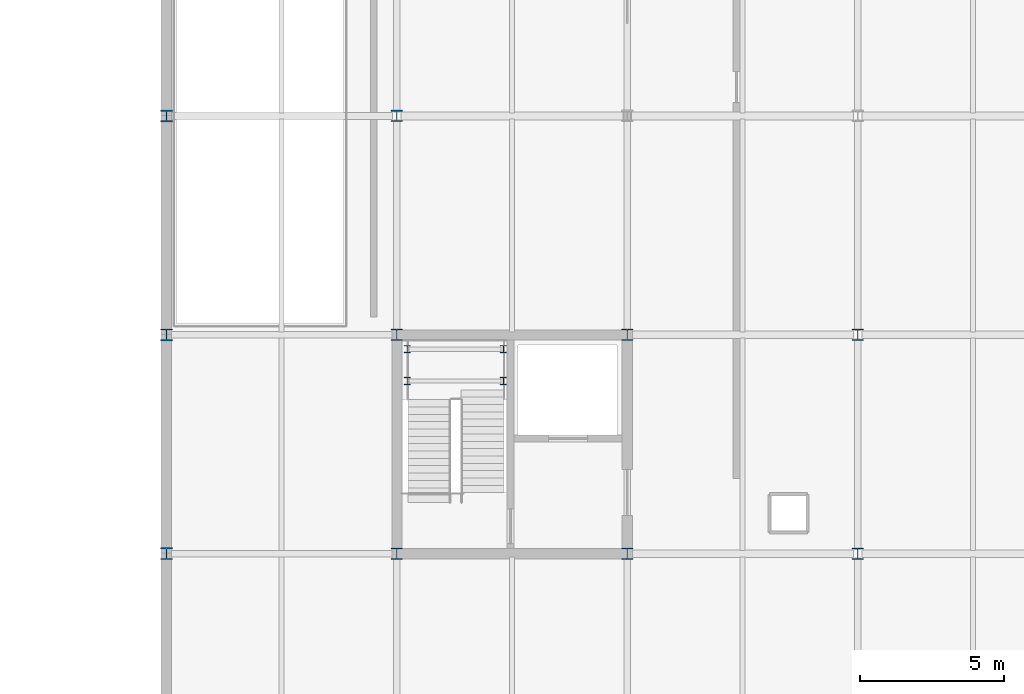
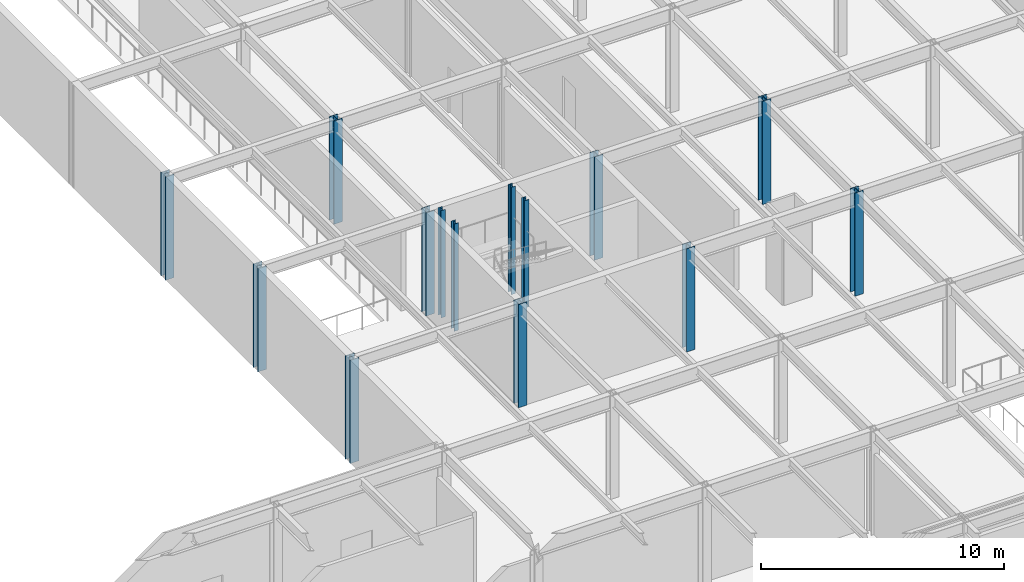
# One storey, part 22 of 62: 14 columns.
"""IFC4 building model written with IfcOpenShell, lengths in metres."""

from ifc_helpers import new_model, si_unit, direction, frame, origin, origin_2d, place, context, subcontext, project, spatial, i_section, extrude, material, material_profile, profile_set, type_object, element, save


model = new_model("IFC4")

# Units and contexts
model_context = context("Model", 3, precision=1e-05, world=origin(), true_north=direction((0.0, 1.0)))
body_context = subcontext(model_context, "Body", "Model", "MODEL_VIEW")
ifc_project = project(units=[si_unit("LENGTHUNIT", "METRE"), si_unit("AREAUNIT", "SQUARE_METRE"), si_unit("VOLUMEUNIT", "CUBIC_METRE"), si_unit("PLANEANGLEUNIT", "RADIAN"), si_unit("MASSUNIT", "GRAM", prefix="KILO")], contexts=[model_context])

# Site, building, storey
site_placement = place(None, origin())
site = spatial("IfcSite", under=ifc_project, at=site_placement, CompositionType="ELEMENT")
building_placement = place(site_placement, origin())
building = spatial("IfcBuilding", under=site, at=building_placement, Name="Zulena Civic Courthouse", CompositionType="ELEMENT")
storey_placement = place(building_placement, origin())
storey = spatial("IfcBuildingStorey", under=building, at=storey_placement, Name="L00", CompositionType="ELEMENT", Elevation=0.0)

# Columns
ifc_material = material(Name="Steel ASTM A992 Grade 50", Category="steel")
ifc_material_profile_1 = material_profile(ifc_material, i_section(OverallWidth=0.2041015625, OverallDepth=0.257080078125, WebThickness=0.0087890625, FlangeThickness=0.015625, FilletRadius=0.0126953125, at=origin_2d()), Name="W10X45")
ifc_profile_set_1 = profile_set([ifc_material_profile_1], Name="Steel ASTM A992 Grade 50")
column_type_1 = type_object("IfcColumnType", Name="Col_W10X45", PredefinedType="COLUMN", material=ifc_profile_set_1)
for number, where, z_axis, x_axis, name in (
    (1, (76.360107421875, 74.39990234375, 0.0), (0.0, 0.0, 1.0), (1.0, 0.0, 0.0), "col:lnd:K5B:L00:0:0"),
    (2, (79.699951171875, 74.39990234375, 0.0), (0.0, 0.0, 1.0), (1.0, 0.0, 0.0), "col:lnd:K5B:L00:0:1"),
    (3, (76.360107421875, 75.5, 0.0), (0.0, 0.0, 1.0), (1.0, 0.0, 0.0), "col:lnd:K5B:L00:1:0"),
    (4, (79.699951171875, 75.5, 0.0), (0.0, 0.0, 1.0), (1.0, 0.0, 0.0), "col:lnd:K5B:L00:1:1"),
):
    element("IfcColumn", number, at=place(storey_placement, frame(where, z_axis=z_axis, x_axis=x_axis)), inside=storey, type_object=column_type_1, Name=name, PredefinedType="COLUMN", context=body_context, shape_type="SweptSolid", body=[
        extrude(i_section(OverallWidth=0.2041015625, OverallDepth=0.257080078125, WebThickness=0.0087890625, FlangeThickness=0.015625, FilletRadius=0.0126953125, at=origin_2d()), origin(), (0.0, 0.0, 1.0), 5.39501953125),
    ])
ifc_material_profile_2 = material_profile(ifc_material, i_section(OverallWidth=0.40087890625, OverallDepth=0.39892578125, WebThickness=0.02490234375, FlangeThickness=0.03955078125, FilletRadius=0.01513671875, at=origin_2d()), Name="W14X211")
ifc_profile_set_2 = profile_set([ifc_material_profile_2], Name="Steel ASTM A992 Grade 50")
column_type_2 = type_object("IfcColumnType", Name="Col_W14X211", PredefinedType="COLUMN", material=ifc_profile_set_2)
for number, where, z_axis, x_axis, name in (
    (5, (76.0, 68.39990234375, 0.0), (0.0, 0.0, 1.0), (1.0, 0.0, 0.0), "col:V5:L00:76.0:68.4"),
    (6, (76.0, 76.0, 0.0), (0.0, 0.0, 1.0), (1.0, 0.0, 0.0), "col:V5:L00:76.0:76.0"),
    (7, (76.0, 83.60009765625, 0.0), (0.0, 0.0, 1.0), (1.0, 0.0, 0.0), "col:V5:L00:76.0:83.6"),
    (8, (84.0, 68.39990234375, 0.0), (0.0, 0.0, 1.0), (1.0, 0.0, 0.0), "col:V5:L00:84.0:68.4"),
    (9, (84.0, 76.0, 0.0), (0.0, 0.0, 1.0), (1.0, 0.0, 0.0), "col:V5:L00:84.0:76.0"),
    (10, (92.0, 68.39990234375, 0.0), (0.0, 0.0, 1.0), (1.0, 0.0, 0.0), "col:V5:L00:92.0:68.4"),
    (11, (92.0, 76.0, 0.0), (0.0, 0.0, 1.0), (1.0, 0.0, 0.0), "col:V5:L00:92.0:76.0"),
):
    element("IfcColumn", number, at=place(storey_placement, frame(where, z_axis=z_axis, x_axis=x_axis)), inside=storey, type_object=column_type_2, Name=name, PredefinedType="COLUMN", context=body_context, shape_type="SweptSolid", body=[
        extrude(i_section(OverallWidth=0.40087890625, OverallDepth=0.39892578125, WebThickness=0.02490234375, FlangeThickness=0.03955078125, FilletRadius=0.01513671875, at=origin_2d()), origin(), (0.0, 0.0, 1.0), 5.18505859375),
    ])
ifc_material_profile_3 = material_profile(ifc_material, i_section(OverallWidth=0.406005859375, OverallDepth=0.416015625, WebThickness=0.02978515625, FlangeThickness=0.048095703125, FilletRadius=0.01513671875, at=origin_2d()), Name="W14X257")
ifc_profile_set_3 = profile_set([ifc_material_profile_3], Name="Steel ASTM A992 Grade 50")
column_type_3 = type_object("IfcColumnType", Name="Col_W14X257", PredefinedType="COLUMN", material=ifc_profile_set_3)
for number, where, z_axis, x_axis, name in (
    (12, (68.0, 68.39990234375, 0.0), (0.0, 0.0, 1.0), (1.0, 0.0, 0.0), "col:V5:L00:68.0:68.4"),
    (13, (68.0, 76.0, 0.0), (0.0, 0.0, 1.0), (1.0, 0.0, 0.0), "col:V5:L00:68.0:76.0"),
    (14, (68.0, 83.60009765625, 0.0), (0.0, 0.0, 1.0), (1.0, 0.0, 0.0), "col:V5:L00:68.0:83.6"),
):
    element("IfcColumn", number, at=place(storey_placement, frame(where, z_axis=z_axis, x_axis=x_axis)), inside=storey, type_object=column_type_3, Name=name, PredefinedType="COLUMN", context=body_context, shape_type="SweptSolid", body=[
        extrude(i_section(OverallWidth=0.406005859375, OverallDepth=0.416015625, WebThickness=0.02978515625, FlangeThickness=0.048095703125, FilletRadius=0.01513671875, at=origin_2d()), origin(), (0.0, 0.0, 1.0), 5.18505859375),
    ])

save(model, "model.ifc")
